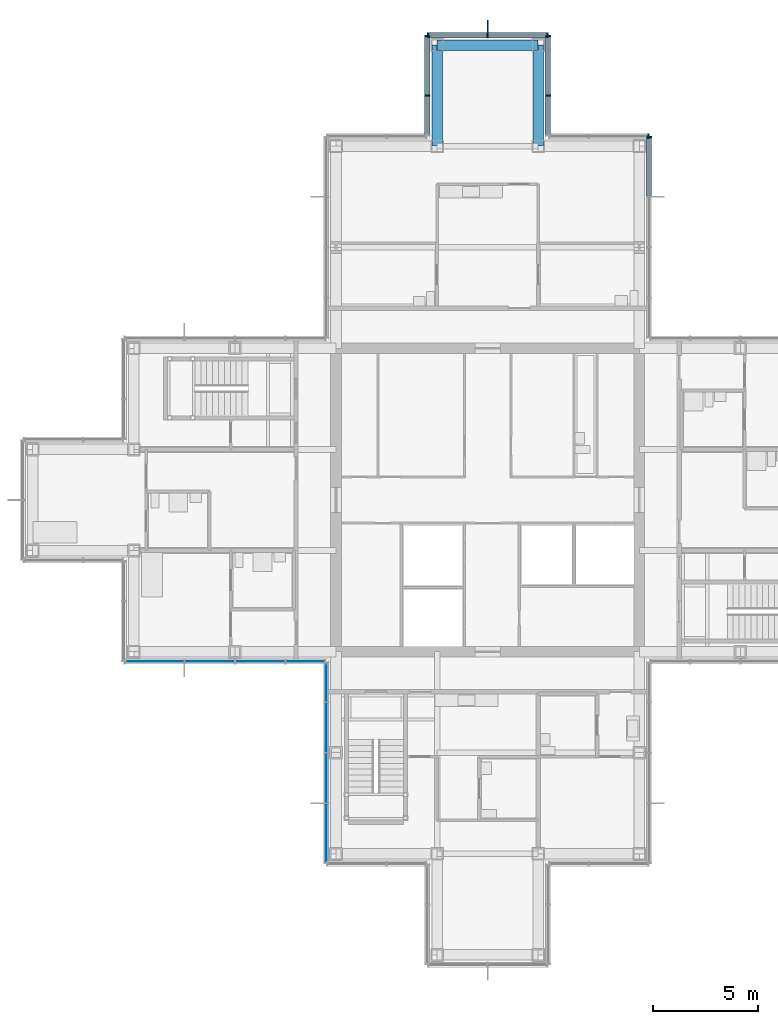
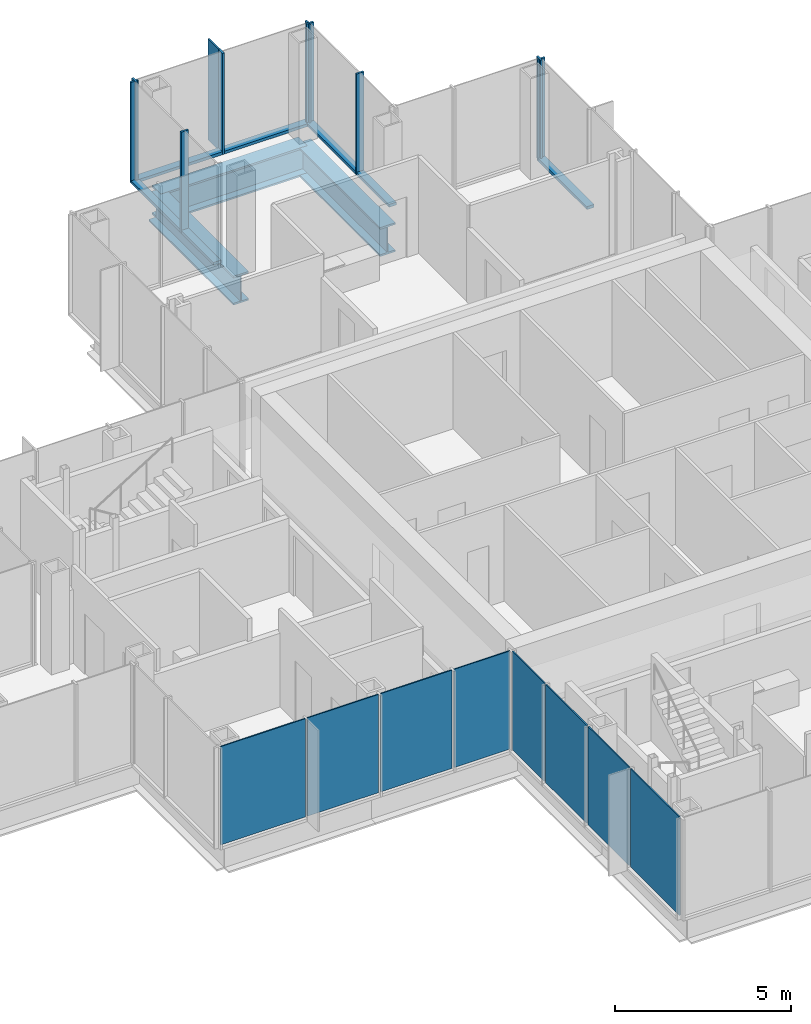
# One storey, part 9 of 17: 17 members, 8 plates, 3 beams, 7 elements without a shape of their own.
"""IFC4 building model written with IfcOpenShell, lengths in metres."""

from ifc_helpers import new_model, si_unit, direction, frame, origin, origin_2d, place, context, subcontext, project, spatial, rectangle, i_section, extrude, material, layer, layer_set, material_profile, profile_set, type_object, element, aggregate, save


model = new_model("IFC4")

# Units and contexts
model_context = context("Model", 3, precision=1e-05, world=origin(), true_north=direction((0.0, 1.0)))
body_context = subcontext(model_context, "Body", "Model", "MODEL_VIEW")
ifc_project = project(units=[si_unit("LENGTHUNIT", "METRE"), si_unit("AREAUNIT", "SQUARE_METRE"), si_unit("VOLUMEUNIT", "CUBIC_METRE"), si_unit("PLANEANGLEUNIT", "RADIAN"), si_unit("MASSUNIT", "GRAM", prefix="KILO")], contexts=[model_context])

# Site, building, storey
site_placement = place(None, origin())
site = spatial("IfcSite", under=ifc_project, at=site_placement, CompositionType="ELEMENT")
building_placement = place(site_placement, origin())
building = spatial("IfcBuilding", under=site, at=building_placement, Name="Kvirike Care Tower", CompositionType="ELEMENT")
storey_placement = place(building_placement, frame((0.0, 0.0, 155.0)))
storey = spatial("IfcBuildingStorey", under=building, at=storey_placement, Name="L42", CompositionType="ELEMENT", Elevation=155.0)

# Curtain wall, member
ifc_material_1 = material(Name="Anodised aluminium stick system", Category="aluminium")
curtain_wall_type = type_object("IfcCurtainWallType", Name="CW-C STICK CURTAIN WALL", PredefinedType="NOTDEFINED", material=ifc_material_1)
curtain_wall_1_placement = place(storey_placement, origin())
curtain_wall_1 = element("IfcCurtainWall", 1, at=curtain_wall_1_placement, inside=storey, type_object=curtain_wall_type, Name="Curtain wall L42 face 11", PredefinedType="NOTDEFINED")
ifc_material_2 = material(Name="Bronze anodised aluminium fin", Category="aluminium")
ifc_material_profile_1 = material_profile(ifc_material_2, rectangle(XDim=0.050048828125, YDim=0.60009765625, at=origin_2d()), Name="BRONZE FIN 600")
ifc_profile_set_1 = profile_set([ifc_material_profile_1], Name="Bronze anodised aluminium fin")
member_type_1 = type_object("IfcMemberType", Name="BRONZE FIN 600", PredefinedType="USERDEFINED", material=ifc_profile_set_1)
member_1_placement = place(storey_placement, frame((21.60009765625, 58.489990234375, 0.0), z_axis=(0.0, 0.0, 1.0), x_axis=(-1.0, 0.0, 0.0)))
member_1 = element("IfcMember", 2, at=member_1_placement, type_object=member_type_1, Name="Bronze fin L42 face 11.2", ObjectType="FIN", PredefinedType="USERDEFINED", context=body_context, shape_type="SweptSolid", body=[
    extrude(rectangle(XDim=0.050048828125, YDim=0.60009765625, at=origin_2d()), origin(), (0.0, 0.0, 1.0), 3.5),
])

curtain_wall_2_placement = place(storey_placement, origin())
curtain_wall_2 = element("IfcCurtainWall", 3, at=curtain_wall_2_placement, inside=storey, type_object=curtain_wall_type, Name="Curtain wall L42 face 8", PredefinedType="NOTDEFINED")
ifc_material_3 = material(Name="Bronze anodised aluminium mullion", Category="aluminium")
ifc_material_profile_2 = material_profile(ifc_material_3, rectangle(XDim=0.06494140625, YDim=0.239990234375, at=origin_2d()), Name="CW-C MULLION 65x240")
ifc_profile_set_2 = profile_set([ifc_material_profile_2], Name="Bronze anodised aluminium mullion")
member_type_2 = type_object("IfcMemberType", Name="CW-C MULLION 65x240", PredefinedType="MULLION", material=ifc_profile_set_2)
member_2_placement = place(storey_placement, frame((29.27001953125, 53.237548828125, 0.0), z_axis=(0.0, 0.0, 1.0), x_axis=(0.0, 1.0, 0.0)))
member_2 = element("IfcMember", 4, at=member_2_placement, type_object=member_type_2, Name="CW-C mullion L42 face 8.5", PredefinedType="MULLION", context=body_context, shape_type="SweptSolid", body=[
    extrude(rectangle(XDim=0.06494140625, YDim=0.239990234375, at=origin_2d()), origin(), (0.0, 0.0, 1.0), 3.5),
])

curtain_wall_3_placement = place(storey_placement, origin())
curtain_wall_3 = element("IfcCurtainWall", 5, at=curtain_wall_3_placement, inside=storey, type_object=curtain_wall_type, Name="Curtain wall L42 face 9", PredefinedType="NOTDEFINED")
member_3_placement = place(storey_placement, frame((29.237548828125, 53.27001953125, 0.0), z_axis=(0.0, 0.0, 1.0), x_axis=(-1.0, 0.0, 0.0)))
member_3 = element("IfcMember", 6, at=member_3_placement, type_object=member_type_2, Name="CW-C mullion L42 face 9.1", PredefinedType="MULLION", context=body_context, shape_type="SweptSolid", body=[
    extrude(rectangle(XDim=0.06494140625, YDim=0.239990234375, at=origin_2d()), origin(), (0.0, 0.0, 1.0), 3.5),
])
aggregate(curtain_wall_3, [member_3])

# Curtain wall, members
curtain_wall_4_placement = place(storey_placement, origin())
curtain_wall_4 = element("IfcCurtainWall", 7, at=curtain_wall_4_placement, inside=storey, type_object=curtain_wall_type, Name="Curtain wall L42 face 10", PredefinedType="NOTDEFINED")
member_4_placement = place(storey_placement, frame((24.469970703125, 55.199951171875, 0.0), z_axis=(0.0, 0.0, 1.0), x_axis=(0.0, 1.0, 0.0)))
member_4 = element("IfcMember", 8, at=member_4_placement, type_object=member_type_2, Name="CW-C mullion L42 face 10.2", PredefinedType="MULLION", context=body_context, shape_type="SweptSolid", body=[
    extrude(rectangle(XDim=0.06494140625, YDim=0.239990234375, at=origin_2d()), origin(), (0.0, 0.0, 1.0), 3.5),
])
member_5_placement = place(storey_placement, frame((24.469970703125, 58.03759765625, 0.0), z_axis=(0.0, 0.0, 1.0), x_axis=(0.0, 1.0, 0.0)))
member_5 = element("IfcMember", 9, at=member_5_placement, type_object=member_type_2, Name="CW-C mullion L42 face 10.3", PredefinedType="MULLION", context=body_context, shape_type="SweptSolid", body=[
    extrude(rectangle(XDim=0.06494140625, YDim=0.239990234375, at=origin_2d()), origin(), (0.0, 0.0, 1.0), 3.5),
])

# Member
member_6_placement = place(storey_placement, frame((24.4375, 58.070068359375, 0.0), z_axis=(0.0, 0.0, 1.0), x_axis=(-1.0, 0.0, 0.0)))
member_6 = element("IfcMember", 10, at=member_6_placement, type_object=member_type_2, Name="CW-C mullion L42 face 11.1", PredefinedType="MULLION", context=body_context, shape_type="SweptSolid", body=[
    extrude(rectangle(XDim=0.06494140625, YDim=0.239990234375, at=origin_2d()), origin(), (0.0, 0.0, 1.0), 3.5),
])

member_7_placement = place(storey_placement, frame((21.60009765625, 58.070068359375, 0.0), z_axis=(0.0, 0.0, 1.0), x_axis=(-1.0, 0.0, 0.0)))
member_7 = element("IfcMember", 11, at=member_7_placement, type_object=member_type_2, Name="CW-C mullion L42 face 11.2", PredefinedType="MULLION", context=body_context, shape_type="SweptSolid", body=[
    extrude(rectangle(XDim=0.06494140625, YDim=0.239990234375, at=origin_2d()), origin(), (0.0, 0.0, 1.0), 3.5),
])

member_8_placement = place(storey_placement, frame((18.762451171875, 58.070068359375, 0.0), z_axis=(0.0, 0.0, 1.0), x_axis=(-1.0, 0.0, 0.0)))
member_8 = element("IfcMember", 12, at=member_8_placement, type_object=member_type_2, Name="CW-C mullion L42 face 11.3", PredefinedType="MULLION", context=body_context, shape_type="SweptSolid", body=[
    extrude(rectangle(XDim=0.06494140625, YDim=0.239990234375, at=origin_2d()), origin(), (0.0, 0.0, 1.0), 3.5),
])

# Curtain wall, members
curtain_wall_5_placement = place(storey_placement, origin())
curtain_wall_5 = element("IfcCurtainWall", 13, at=curtain_wall_5_placement, inside=storey, type_object=curtain_wall_type, Name="Curtain wall L42 face 12", PredefinedType="NOTDEFINED")
member_9_placement = place(storey_placement, frame((18.72998046875, 58.03759765625, 0.0), z_axis=(0.0, 0.0, 1.0), x_axis=(0.0, -1.0, 0.0)))
member_9 = element("IfcMember", 14, at=member_9_placement, type_object=member_type_2, Name="CW-C mullion L42 face 12.1", PredefinedType="MULLION", context=body_context, shape_type="SweptSolid", body=[
    extrude(rectangle(XDim=0.06494140625, YDim=0.239990234375, at=origin_2d()), origin(), (0.0, 0.0, 1.0), 3.5),
])
member_10_placement = place(storey_placement, frame((18.72998046875, 55.199951171875, 0.0), z_axis=(0.0, 0.0, 1.0), x_axis=(0.0, -1.0, 0.0)))
member_10 = element("IfcMember", 15, at=member_10_placement, type_object=member_type_2, Name="CW-C mullion L42 face 12.2", PredefinedType="MULLION", context=body_context, shape_type="SweptSolid", body=[
    extrude(rectangle(XDim=0.06494140625, YDim=0.239990234375, at=origin_2d()), origin(), (0.0, 0.0, 1.0), 3.5),
])

# Member
ifc_material_4 = material(Name="Bronze anodised aluminium transom", Category="aluminium")
ifc_material_profile_3 = material_profile(ifc_material_4, rectangle(XDim=0.239990234375, YDim=0.10009765625, at=origin_2d()), Name="CW-C TRANSOM 240x100")
ifc_profile_set_3 = profile_set([ifc_material_profile_3], Name="Bronze anodised aluminium transom")
member_type_3 = type_object("IfcMemberType", Name="CW-C TRANSOM 240x100", PredefinedType="USERDEFINED", material=ifc_profile_set_3)
member_11_placement = place(storey_placement, frame((29.27001953125, 50.4326171875, 0.050048828125), z_axis=(0.0, 1.0, 0.0), x_axis=(-1.0, 0.0, 0.0)))
member_11 = element("IfcMember", 16, at=member_11_placement, type_object=member_type_3, Name="CW-C sill transom L42 face 8.4", ObjectType="TRANSOM", PredefinedType="USERDEFINED", context=body_context, shape_type="SweptSolid", body=[
    extrude(rectangle(XDim=0.239990234375, YDim=0.10009765625, at=origin_2d()), origin(), (0.0, 0.0, 1.0), 2.7724609375),
])

aggregate(curtain_wall_2, [member_2, member_11])

member_12_placement = place(storey_placement, frame((24.469970703125, 53.3349609375, 0.050048828125), z_axis=(0.0, 1.0, 0.0), x_axis=(-1.0, 0.0, 0.0)))
member_12 = element("IfcMember", 17, at=member_12_placement, type_object=member_type_3, Name="CW-C sill transom L42 face 10.1", ObjectType="TRANSOM", PredefinedType="USERDEFINED", context=body_context, shape_type="SweptSolid", body=[
    extrude(rectangle(XDim=0.239990234375, YDim=0.10009765625, at=origin_2d()), origin(), (0.0, 0.0, 1.0), 1.83251953125),
])

member_13_placement = place(storey_placement, frame((24.469970703125, 55.232421875, 0.050048828125), z_axis=(0.0, 1.0, 0.0), x_axis=(-1.0, 0.0, 0.0)))
member_13 = element("IfcMember", 18, at=member_13_placement, type_object=member_type_3, Name="CW-C sill transom L42 face 10.2", ObjectType="TRANSOM", PredefinedType="USERDEFINED", context=body_context, shape_type="SweptSolid", body=[
    extrude(rectangle(XDim=0.239990234375, YDim=0.10009765625, at=origin_2d()), origin(), (0.0, 0.0, 1.0), 2.7724609375),
])

aggregate(curtain_wall_4, [member_4, member_5, member_12, member_13])

member_14_placement = place(storey_placement, frame((24.405029296875, 58.070068359375, 0.050048828125), z_axis=(-1.0, 0.0, 0.0), x_axis=(0.0, -1.0, 0.0)))
member_14 = element("IfcMember", 19, at=member_14_placement, type_object=member_type_3, Name="CW-C sill transom L42 face 11.1", ObjectType="TRANSOM", PredefinedType="USERDEFINED", context=body_context, shape_type="SweptSolid", body=[
    extrude(rectangle(XDim=0.239990234375, YDim=0.10009765625, at=origin_2d()), origin(), (0.0, 0.0, 1.0), 2.7724609375),
])

member_15_placement = place(storey_placement, frame((21.5673828125, 58.070068359375, 0.050048828125), z_axis=(-1.0, 0.0, 0.0), x_axis=(0.0, -1.0, 0.0)))
member_15 = element("IfcMember", 20, at=member_15_placement, type_object=member_type_3, Name="CW-C sill transom L42 face 11.2", ObjectType="TRANSOM", PredefinedType="USERDEFINED", context=body_context, shape_type="SweptSolid", body=[
    extrude(rectangle(XDim=0.239990234375, YDim=0.10009765625, at=origin_2d()), origin(), (0.0, 0.0, 1.0), 2.7724609375),
])

aggregate(curtain_wall_1, [member_6, member_7, member_1, member_8, member_14, member_15])

member_16_placement = place(storey_placement, frame((18.72998046875, 58.0048828125, 0.050048828125), z_axis=(0.0, -1.0, 0.0), x_axis=(1.0, 0.0, 0.0)))
member_16 = element("IfcMember", 21, at=member_16_placement, type_object=member_type_3, Name="CW-C sill transom L42 face 12.1", ObjectType="TRANSOM", PredefinedType="USERDEFINED", context=body_context, shape_type="SweptSolid", body=[
    extrude(rectangle(XDim=0.239990234375, YDim=0.10009765625, at=origin_2d()), origin(), (0.0, 0.0, 1.0), 2.7724609375),
])

member_17_placement = place(storey_placement, frame((18.72998046875, 55.16748046875, 0.050048828125), z_axis=(0.0, -1.0, 0.0), x_axis=(1.0, 0.0, 0.0)))
member_17 = element("IfcMember", 22, at=member_17_placement, type_object=member_type_3, Name="CW-C sill transom L42 face 12.2", ObjectType="TRANSOM", PredefinedType="USERDEFINED", context=body_context, shape_type="SweptSolid", body=[
    extrude(rectangle(XDim=0.239990234375, YDim=0.10009765625, at=origin_2d()), origin(), (0.0, 0.0, 1.0), 1.83251953125),
])

aggregate(curtain_wall_5, [member_9, member_10, member_16, member_17])

# Beams
ifc_material_5 = material(Name="Steel S355", Category="steel")
ifc_material_profile_4 = material_profile(ifc_material_5, i_section(OverallWidth=0.5, OverallDepth=1.0, WebThickness=0.030029296875, FlangeThickness=0.06005859375, at=origin_2d()), Name="PG 1000x500x30x60")
ifc_profile_set_4 = profile_set([ifc_material_profile_4], Name="Steel S355")
beam_type = type_object("IfcBeamType", Name="SPANDREL PG 1000x500x30x60", PredefinedType="SPANDREL", material=ifc_profile_set_4)
for number, where, z_axis, x_axis, name in (
    (23, (19.199951171875, 57.60009765625, -0.669921875), (1.0, 0.0, 0.0), (0.0, 1.0, 0.0), "Spandrel N7-N8 L42"),
    (24, (19.199951171875, 52.800048828125, -0.669921875), (0.0, 1.0, 0.0), (-1.0, 0.0, 0.0), "Spandrel M7-N7 L42"),
    (25, (24.0, 52.800048828125, -0.669921875), (0.0, 1.0, 0.0), (-1.0, 0.0, 0.0), "Spandrel M8-N8 L42"),
):
    element("IfcBeam", number, at=place(storey_placement, frame(where, z_axis=z_axis, x_axis=x_axis)), inside=storey, type_object=beam_type, Name=name, PredefinedType="SPANDREL", context=body_context, shape_type="SweptSolid", body=[
        extrude(i_section(OverallWidth=0.5, OverallDepth=1.0, WebThickness=0.030029296875, FlangeThickness=0.06005859375, at=origin_2d()), origin(), (0.0, 0.0, 1.0), 4.800048828125),
    ])

# Curtain wall, plates
curtain_wall_6_placement = place(storey_placement, origin())
curtain_wall_6 = element("IfcCurtainWall", 26, at=curtain_wall_6_placement, inside=storey, type_object=curtain_wall_type, Name="Curtain wall L42 face 21", PredefinedType="NOTDEFINED")
ifc_material_6 = material(Name="Tinted double glazed unit", Category="glass")
ifc_layer = layer(ifc_material_6, 0.0400390625)
ifc_layer_set = layer_set([ifc_layer], Name="TINTED VISION PANEL 40")
plate_type = type_object("IfcPlateType", Name="TINTED VISION PANEL 40", PredefinedType="CURTAIN_PANEL", material=ifc_layer_set)
plate_1_placement = place(storey_placement, frame((5.78125, 28.330078125, 0.10009765625), z_axis=(0.0, 0.0, 1.0), x_axis=(1.0, 0.0, 0.0)))
plate_1 = element("IfcPlate", 27, at=plate_1_placement, type_object=plate_type, Name="CW-C panel L42 face 21.1", PredefinedType="CURTAIN_PANEL", context=body_context, shape_type="SweptSolid", body=[
    extrude(rectangle(XDim=2.7724609375, YDim=0.0400390625, at=origin_2d()), origin(), (0.0, 0.0, 1.0), 3.39990234375),
])
plate_2_placement = place(storey_placement, frame((8.39990234375, 28.330078125, 0.10009765625), z_axis=(0.0, 0.0, 1.0), x_axis=(1.0, 0.0, 0.0)))
plate_2 = element("IfcPlate", 28, at=plate_2_placement, type_object=plate_type, Name="CW-C panel L42 face 21.2", PredefinedType="CURTAIN_PANEL", context=body_context, shape_type="SweptSolid", body=[
    extrude(rectangle(XDim=2.3349609375, YDim=0.0400390625, at=origin_2d()), origin(), (0.0, 0.0, 1.0), 3.39990234375),
])
plate_3_placement = place(storey_placement, frame((10.800048828125, 28.330078125, 0.10009765625), z_axis=(0.0, 0.0, 1.0), x_axis=(1.0, 0.0, 0.0)))
plate_3 = element("IfcPlate", 29, at=plate_3_placement, type_object=plate_type, Name="CW-C panel L42 face 21.3", PredefinedType="CURTAIN_PANEL", context=body_context, shape_type="SweptSolid", body=[
    extrude(rectangle(XDim=2.3349609375, YDim=0.0400390625, at=origin_2d()), origin(), (0.0, 0.0, 1.0), 3.39990234375),
])
plate_4_placement = place(storey_placement, frame((12.94873046875, 28.330078125, 0.10009765625), z_axis=(0.0, 0.0, 1.0), x_axis=(1.0, 0.0, 0.0)))
plate_4 = element("IfcPlate", 30, at=plate_4_placement, type_object=plate_type, Name="CW-C panel L42 face 21.4", PredefinedType="CURTAIN_PANEL", context=body_context, shape_type="SweptSolid", body=[
    extrude(rectangle(XDim=1.83251953125, YDim=0.0400390625, at=origin_2d()), origin(), (0.0, 0.0, 1.0), 3.39990234375),
])
aggregate(curtain_wall_6, [plate_1, plate_2, plate_3, plate_4])

curtain_wall_7_placement = place(storey_placement, origin())
curtain_wall_7 = element("IfcCurtainWall", 31, at=curtain_wall_7_placement, inside=storey, type_object=curtain_wall_type, Name="Curtain wall L42 face 22", PredefinedType="NOTDEFINED")
plate_5_placement = place(storey_placement, frame((13.929931640625, 27.3486328125, 0.10009765625), z_axis=(0.0, 0.0, 1.0), x_axis=(0.0, -1.0, 0.0)))
plate_5 = element("IfcPlate", 32, at=plate_5_placement, type_object=plate_type, Name="CW-C panel L42 face 22.1", PredefinedType="CURTAIN_PANEL", context=body_context, shape_type="SweptSolid", body=[
    extrude(rectangle(XDim=1.83251953125, YDim=0.0400390625, at=origin_2d()), origin(), (0.0, 0.0, 1.0), 3.39990234375),
])
plate_6_placement = place(storey_placement, frame((13.929931640625, 25.199951171875, 0.10009765625), z_axis=(0.0, 0.0, 1.0), x_axis=(0.0, -1.0, 0.0)))
plate_6 = element("IfcPlate", 33, at=plate_6_placement, type_object=plate_type, Name="CW-C panel L42 face 22.2", PredefinedType="CURTAIN_PANEL", context=body_context, shape_type="SweptSolid", body=[
    extrude(rectangle(XDim=2.3349609375, YDim=0.0400390625, at=origin_2d()), origin(), (0.0, 0.0, 1.0), 3.39990234375),
])
plate_7_placement = place(storey_placement, frame((13.929931640625, 22.800048828125, 0.10009765625), z_axis=(0.0, 0.0, 1.0), x_axis=(0.0, -1.0, 0.0)))
plate_7 = element("IfcPlate", 34, at=plate_7_placement, type_object=plate_type, Name="CW-C panel L42 face 22.3", PredefinedType="CURTAIN_PANEL", context=body_context, shape_type="SweptSolid", body=[
    extrude(rectangle(XDim=2.3349609375, YDim=0.0400390625, at=origin_2d()), origin(), (0.0, 0.0, 1.0), 3.39990234375),
])
plate_8_placement = place(storey_placement, frame((13.929931640625, 20.18115234375, 0.10009765625), z_axis=(0.0, 0.0, 1.0), x_axis=(0.0, -1.0, 0.0)))
plate_8 = element("IfcPlate", 35, at=plate_8_placement, type_object=plate_type, Name="CW-C panel L42 face 22.4", PredefinedType="CURTAIN_PANEL", context=body_context, shape_type="SweptSolid", body=[
    extrude(rectangle(XDim=2.7724609375, YDim=0.0400390625, at=origin_2d()), origin(), (0.0, 0.0, 1.0), 3.39990234375),
])
aggregate(curtain_wall_7, [plate_5, plate_6, plate_7, plate_8])

save(model, "model.ifc")
